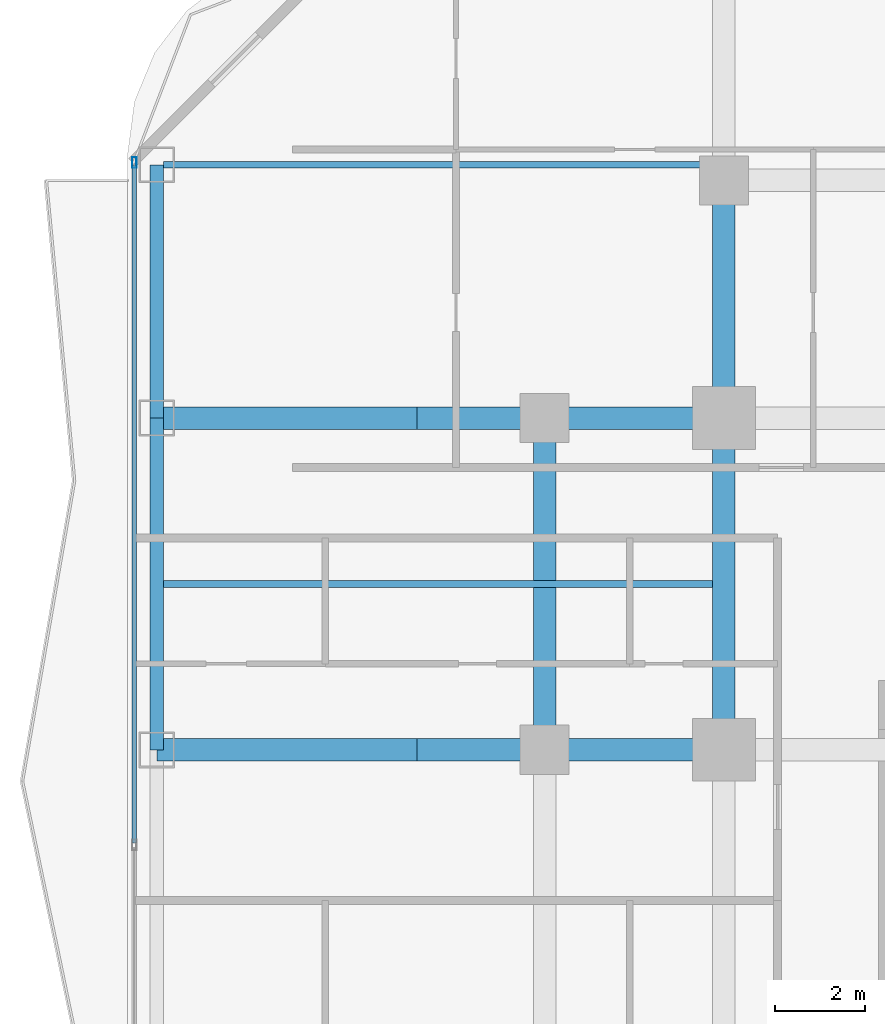
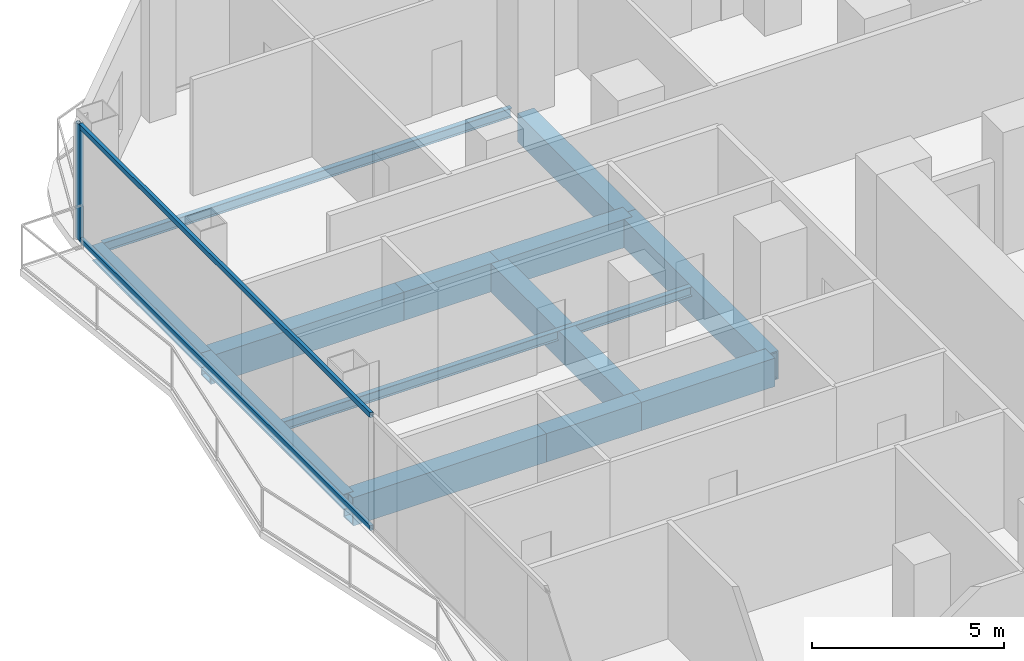
# One storey, part 13 of 29: 13 beams, 3 members, 1 element without a shape of its own.
"""IFC4 building model written with IfcOpenShell, lengths in metres."""

from ifc_helpers import new_model, si_unit, direction, frame, origin, origin_2d, place, context, subcontext, project, spatial, hollow_rectangle, i_section, extrude, material, layer, layer_set, material_profile, profile_set, type_object, element, aggregate, save


model = new_model("IFC4")

# Units and contexts
model_context = context("Model", 3, precision=1e-05, world=origin(), true_north=direction((0.0, 1.0)))
body_context = subcontext(model_context, "Body", "Model", "MODEL_VIEW")
ifc_project = project(units=[si_unit("LENGTHUNIT", "METRE"), si_unit("AREAUNIT", "SQUARE_METRE"), si_unit("VOLUMEUNIT", "CUBIC_METRE"), si_unit("PLANEANGLEUNIT", "RADIAN"), si_unit("MASSUNIT", "GRAM", prefix="KILO")], contexts=[model_context])

# Site, building, storey
site_placement = place(None, origin())
site = spatial("IfcSite", under=ifc_project, at=site_placement, CompositionType="ELEMENT")
building_placement = place(site_placement, origin())
building = spatial("IfcBuilding", under=site, at=building_placement, Name="Khorvyn Point Tower", CompositionType="ELEMENT")
storey_placement = place(building_placement, frame((0.0, 0.0, 54.0)))
storey = spatial("IfcBuildingStorey", under=building, at=storey_placement, Name="L14", CompositionType="ELEMENT", Elevation=54.0)

# Curtain wall, members
ifc_material_1 = material(Name="Anodised aluminium 6063-T6 and laminated Low-E glass", Category="aluminium")
ifc_layer = layer(ifc_material_1, 0.18994140625)
ifc_layer_set = layer_set([ifc_layer], Name="Stick-Built Finned Residential Curtain Wall CW-SYS-02")
curtain_wall_type = type_object("IfcCurtainWallType", Name="Stick-Built Finned Residential Curtain Wall CW-SYS-02", PredefinedType="NOTDEFINED", material=ifc_layer_set)
curtain_wall_placement = place(storey_placement, origin())
curtain_wall = element("IfcCurtainWall", 1, at=curtain_wall_placement, inside=storey, type_object=curtain_wall_type, Name="Curtain Wall", PredefinedType="NOTDEFINED")
ifc_material_2 = material(Name="Anodised aluminium 6063-T6", Category="aluminium")
ifc_material_profile_1 = material_profile(ifc_material_2, hollow_rectangle(XDim=0.10009765625, YDim=0.239990234375, WallThickness=0.0048828125, at=origin_2d()))
ifc_profile_set_1 = profile_set([ifc_material_profile_1], Name="Anodised aluminium 6063-T6 ALU-MUL-100x240")
member_type_1 = type_object("IfcMemberType", Name="Anodised Aluminium 6063-T6 Mullion ALU-MUL-100x240", PredefinedType="MULLION", material=ifc_profile_set_1)
member_1_placement = place(storey_placement, frame((-27.949951171875, 20.5, 0.0), z_axis=(0.0, 0.0, 1.0), x_axis=(-1.0, 0.0, 0.0)))
member_1 = element("IfcMember", 2, at=member_1_placement, type_object=member_type_1, Name="Transom", PredefinedType="MULLION", context=body_context, shape_type="SweptSolid", body=[
    extrude(hollow_rectangle(XDim=0.10009765625, YDim=0.239990234375, WallThickness=0.0048828125, at=origin_2d()), origin(), (0.0, 0.0, 1.0), 3.679931640625),
])
ifc_material_profile_2 = material_profile(ifc_material_2, hollow_rectangle(XDim=0.10009765625, YDim=0.159912109375, WallThickness=0.00439453125, at=origin_2d()))
ifc_profile_set_2 = profile_set([ifc_material_profile_2], Name="Anodised aluminium 6063-T6 ALU-TRN-100x160")
member_type_2 = type_object("IfcMemberType", Name="Anodised Aluminium 6063-T6 Transom ALU-TRN-100x160", PredefinedType="USERDEFINED", material=ifc_profile_set_2)
member_2_placement = place(storey_placement, frame((-27.949951171875, 5.324951171875, 0.050048828125), z_axis=(0.0, 1.0, 0.0), x_axis=(-1.0, 0.0, 0.0)))
member_2 = element("IfcMember", 3, at=member_2_placement, type_object=member_type_2, Name="Transom", ObjectType="TRANSOM", PredefinedType="USERDEFINED", context=body_context, shape_type="SweptSolid", body=[
    extrude(hollow_rectangle(XDim=0.10009765625, YDim=0.159912109375, WallThickness=0.00439453125, at=origin_2d()), origin(), (0.0, 0.0, 1.0), 15.125),
])
member_3_placement = place(storey_placement, frame((-27.949951171875, 5.324951171875, 3.6298828125), z_axis=(0.0, 1.0, 0.0), x_axis=(-1.0, 0.0, 0.0)))
member_3 = element("IfcMember", 4, at=member_3_placement, type_object=member_type_2, Name="Transom", ObjectType="TRANSOM", PredefinedType="USERDEFINED", context=body_context, shape_type="SweptSolid", body=[
    extrude(hollow_rectangle(XDim=0.10009765625, YDim=0.159912109375, WallThickness=0.00439453125, at=origin_2d()), origin(), (0.0, 0.0, 1.0), 15.125),
])
aggregate(curtain_wall, [member_1, member_2, member_3])

# Beams
ifc_material_3 = material(Name="Steel S355", Category="steel")
ifc_material_profile_3 = material_profile(ifc_material_3, i_section(OverallWidth=0.14990234375, OverallDepth=0.300048828125, WebThickness=0.006591796875, FlangeThickness=0.009033203125, at=origin_2d()))
ifc_profile_set_3 = profile_set([ifc_material_profile_3], Name="Steel S355 H300x150x6.5x9")
beam_type_1 = type_object("IfcBeamType", Name="Steel S355 Joist H300x150x6.5x9", PredefinedType="JOIST", material=ifc_profile_set_3)
for number, where, z_axis, x_axis, name in (
    (5, (-27.300048828125, 11.10009765625, -0.429931640625), (1.0, 0.0, 0.0), (0.0, 1.0, 0.0), "Beam"),
    (6, (-27.300048828125, 20.449951171875, -0.429931640625), (1.0, 0.0, 0.0), (0.0, 1.0, 0.0), "Beam"),
):
    element("IfcBeam", number, at=place(storey_placement, frame(where, z_axis=z_axis, x_axis=x_axis)), inside=storey, type_object=beam_type_1, Name=name, PredefinedType="JOIST", context=body_context, shape_type="SweptSolid", body=[
        extrude(i_section(OverallWidth=0.14990234375, OverallDepth=0.300048828125, WebThickness=0.006591796875, FlangeThickness=0.009033203125, at=origin_2d()), origin(), (0.0, 0.0, 1.0), 12.25),
    ])
ifc_material_profile_4 = material_profile(ifc_material_3, i_section(OverallWidth=0.300048828125, OverallDepth=0.488037109375, WebThickness=0.010986328125, FlangeThickness=0.01806640625, at=origin_2d()))
ifc_profile_set_4 = profile_set([ifc_material_profile_4], Name="Steel S355 H488x300x11x18")
beam_type_2 = type_object("IfcBeamType", Name="Steel S355 Spandrel H488x300x11x18", PredefinedType="SPANDREL", material=ifc_profile_set_4)
beam_1_placement = place(storey_placement, frame((-27.449951171875, 7.39990234375, -0.52392578125), z_axis=(0.0, 1.0, 0.0), x_axis=(-1.0, 0.0, 0.0)))
element("IfcBeam", 7, at=beam_1_placement, inside=storey, type_object=beam_type_2, Name="Beam", PredefinedType="SPANDREL", context=body_context, shape_type="SweptSolid", body=[
    extrude(i_section(OverallWidth=0.300048828125, OverallDepth=0.488037109375, WebThickness=0.010986328125, FlangeThickness=0.01806640625, at=origin_2d()), origin(), (0.0, 0.0, 1.0), 7.400146484375),
])
beam_2_placement = place(storey_placement, frame((-27.449951171875, 14.800048828125, -0.52392578125), z_axis=(0.0, 1.0, 0.0), x_axis=(-1.0, 0.0, 0.0)))
element("IfcBeam", 8, at=beam_2_placement, inside=storey, type_object=beam_type_2, Name="Beam", PredefinedType="SPANDREL", context=body_context, shape_type="SweptSolid", body=[
    extrude(i_section(OverallWidth=0.300048828125, OverallDepth=0.488037109375, WebThickness=0.010986328125, FlangeThickness=0.01806640625, at=origin_2d()), origin(), (0.0, 0.0, 1.0), 5.64990234375),
])
ifc_material_4 = material(Name="Steel S450", Category="steel")
ifc_material_profile_5 = material_profile(ifc_material_4, hollow_rectangle(XDim=0.5, YDim=0.89990234375, WallThickness=0.0400390625, at=origin_2d()))
ifc_profile_set_5 = profile_set([ifc_material_profile_5], Name="Steel S450 BOX900x500x40")
beam_type_3 = type_object("IfcBeamType", Name="Steel S450 Beam BOX900x500x40", PredefinedType="BEAM", material=ifc_profile_set_5)
beam_3_placement = place(storey_placement, frame((-27.449951171875, 14.800048828125, -0.72998046875), z_axis=(1.0, 0.0, 0.0), x_axis=(0.0, 1.0, 0.0)))
element("IfcBeam", 9, at=beam_3_placement, inside=storey, type_object=beam_type_3, Name="L14 Radial Transfer Girder", PredefinedType="BEAM", context=body_context, shape_type="SweptSolid", body=[
    extrude(hollow_rectangle(XDim=0.5, YDim=0.89990234375, WallThickness=0.0400390625, at=origin_2d()), origin(), (0.0, 0.0, 1.0), 5.800048828125),
])
beam_4_placement = place(storey_placement, frame((-21.64990234375, 14.800048828125, -0.72998046875), z_axis=(1.0, 0.0, 0.0), x_axis=(0.0, 1.0, 0.0)))
element("IfcBeam", 10, at=beam_4_placement, inside=storey, type_object=beam_type_3, Name="L14 Radial Transfer Girder", PredefinedType="BEAM", context=body_context, shape_type="SweptSolid", body=[
    extrude(hollow_rectangle(XDim=0.5, YDim=0.89990234375, WallThickness=0.0400390625, at=origin_2d()), origin(), (0.0, 0.0, 1.0), 2.849853515625),
])
beam_5_placement = place(storey_placement, frame((-18.800048828125, 14.800048828125, -0.72998046875), z_axis=(1.0, 0.0, 0.0), x_axis=(0.0, 1.0, 0.0)))
element("IfcBeam", 11, at=beam_5_placement, inside=storey, type_object=beam_type_3, Name="L14 Radial Transfer Girder", PredefinedType="BEAM", context=body_context, shape_type="SweptSolid", body=[
    extrude(hollow_rectangle(XDim=0.5, YDim=0.89990234375, WallThickness=0.0400390625, at=origin_2d()), origin(), (0.0, 0.0, 1.0), 4.0),
])
beam_6_placement = place(storey_placement, frame((-27.449951171875, 7.39990234375, -0.72998046875), z_axis=(1.0, 0.0, 0.0), x_axis=(0.0, 1.0, 0.0)))
element("IfcBeam", 12, at=beam_6_placement, inside=storey, type_object=beam_type_3, Name="Beam", PredefinedType="BEAM", context=body_context, shape_type="SweptSolid", body=[
    extrude(hollow_rectangle(XDim=0.5, YDim=0.89990234375, WallThickness=0.0400390625, at=origin_2d()), origin(), (0.0, 0.0, 1.0), 5.800048828125),
])
beam_7_placement = place(storey_placement, frame((-21.64990234375, 7.39990234375, -0.72998046875), z_axis=(1.0, 0.0, 0.0), x_axis=(0.0, 1.0, 0.0)))
element("IfcBeam", 13, at=beam_7_placement, inside=storey, type_object=beam_type_3, Name="Beam", PredefinedType="BEAM", context=body_context, shape_type="SweptSolid", body=[
    extrude(hollow_rectangle(XDim=0.5, YDim=0.89990234375, WallThickness=0.0400390625, at=origin_2d()), origin(), (0.0, 0.0, 1.0), 2.849853515625),
])
beam_8_placement = place(storey_placement, frame((-18.800048828125, 7.39990234375, -0.72998046875), z_axis=(1.0, 0.0, 0.0), x_axis=(0.0, 1.0, 0.0)))
element("IfcBeam", 14, at=beam_8_placement, inside=storey, type_object=beam_type_3, Name="Beam", PredefinedType="BEAM", context=body_context, shape_type="SweptSolid", body=[
    extrude(hollow_rectangle(XDim=0.5, YDim=0.89990234375, WallThickness=0.0400390625, at=origin_2d()), origin(), (0.0, 0.0, 1.0), 4.0),
])
beam_9_placement = place(storey_placement, frame((-14.800048828125, 7.39990234375, -0.72998046875), z_axis=(0.0, 1.0, 0.0), x_axis=(-1.0, 0.0, 0.0)))
element("IfcBeam", 15, at=beam_9_placement, inside=storey, type_object=beam_type_3, Name="L14 Radial Transfer Girder", PredefinedType="BEAM", context=body_context, shape_type="SweptSolid", body=[
    extrude(hollow_rectangle(XDim=0.5, YDim=0.89990234375, WallThickness=0.0400390625, at=origin_2d()), origin(), (0.0, 0.0, 1.0), 7.400146484375),
])
beam_10_placement = place(storey_placement, frame((-14.800048828125, 14.800048828125, -0.72998046875), z_axis=(0.0, 1.0, 0.0), x_axis=(-1.0, 0.0, 0.0)))
element("IfcBeam", 16, at=beam_10_placement, inside=storey, type_object=beam_type_3, Name="L14 Radial Transfer Girder", PredefinedType="BEAM", context=body_context, shape_type="SweptSolid", body=[
    extrude(hollow_rectangle(XDim=0.5, YDim=0.89990234375, WallThickness=0.0400390625, at=origin_2d()), origin(), (0.0, 0.0, 1.0), 5.300048828125),
])
beam_11_placement = place(storey_placement, frame((-18.800048828125, 7.39990234375, -0.72998046875), z_axis=(0.0, 1.0, 0.0), x_axis=(-1.0, 0.0, 0.0)))
element("IfcBeam", 17, at=beam_11_placement, inside=storey, type_object=beam_type_3, Name="Beam", PredefinedType="BEAM", context=body_context, shape_type="SweptSolid", body=[
    extrude(hollow_rectangle(XDim=0.5, YDim=0.89990234375, WallThickness=0.0400390625, at=origin_2d()), origin(), (0.0, 0.0, 1.0), 7.400146484375),
])

save(model, "model.ifc")
